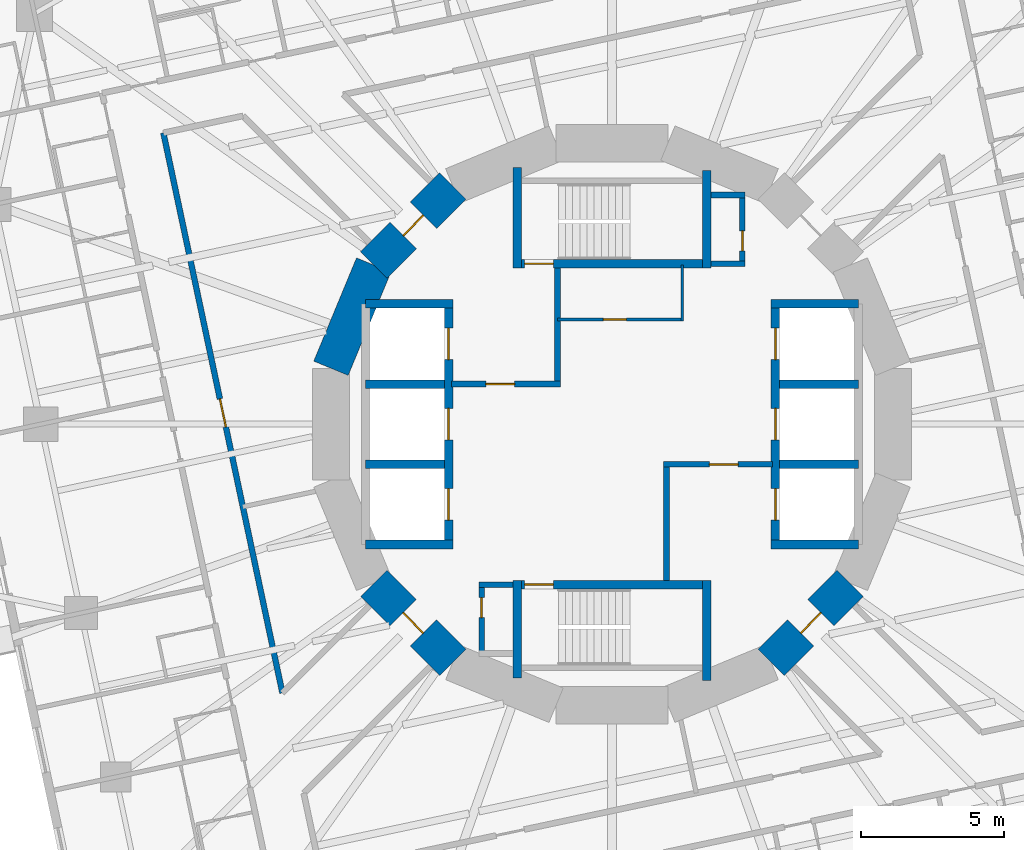
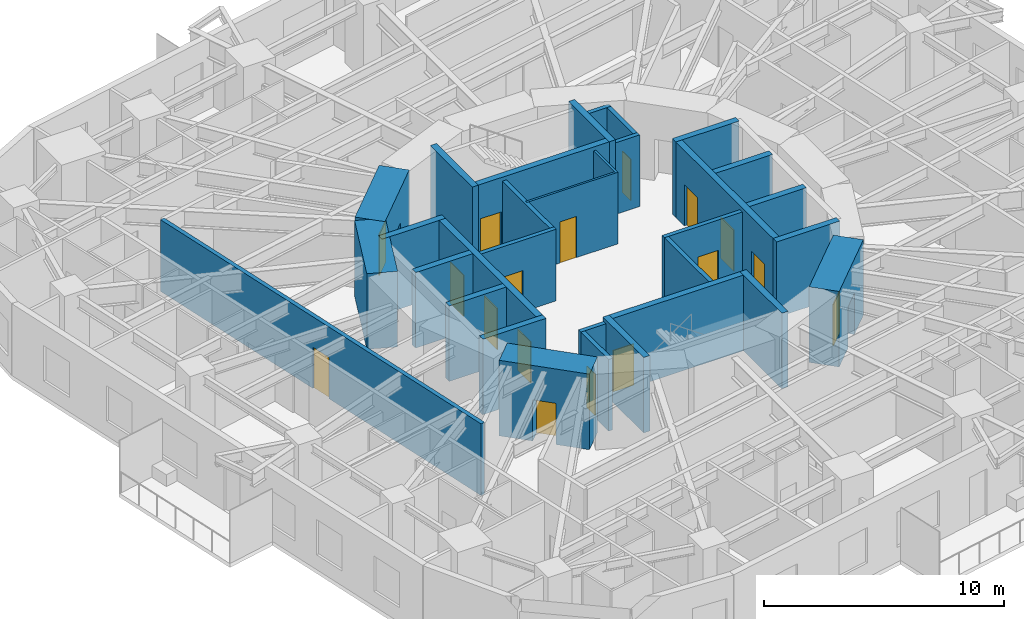
# One storey, part 7 of 14: 32 walls, 17 doors, 17 openings.
"""IFC4 building model written with IfcOpenShell, lengths in metres."""

from ifc_helpers import new_model, si_unit, direction, frame, frame_2d, origin, place, context, subcontext, project, spatial, rectangle, extrude, material, layer, layer_set, type_object, element, fill, save


model = new_model("IFC4")

# Units and contexts
model_context = context("Model", 3, precision=1e-05, world=origin(), true_north=direction((0.0, 1.0)))
body_context = subcontext(model_context, "Body", "Model", "MODEL_VIEW")
ifc_project = project(units=[si_unit("LENGTHUNIT", "METRE"), si_unit("AREAUNIT", "SQUARE_METRE"), si_unit("VOLUMEUNIT", "CUBIC_METRE"), si_unit("PLANEANGLEUNIT", "RADIAN"), si_unit("MASSUNIT", "GRAM", prefix="KILO")], contexts=[model_context])

# Site, building, storey
site_placement = place(None, origin())
site = spatial("IfcSite", under=ifc_project, at=site_placement, CompositionType="ELEMENT")
building_placement = place(site_placement, origin())
building = spatial("IfcBuilding", under=site, at=building_placement, Name="Nakasero Lantern House", CompositionType="ELEMENT")
storey_placement = place(building_placement, frame((0.0, 0.0, 116.550048828125)))
storey = spatial("IfcBuildingStorey", under=building, at=storey_placement, Name="L28", CompositionType="ELEMENT", Elevation=116.550048828125)

# Wall, openings, doors
ifc_material_1 = material(Name="Concrete C50/60", Category="concrete")
ifc_layer_1 = layer(ifc_material_1, 0.300048828125)
ifc_layer_set_1 = layer_set([ifc_layer_1], Name="Core inner wall 300")
wall_type_1 = type_object("IfcWallType", Name="Core inner wall 300", PredefinedType="SHEAR", material=ifc_layer_set_1)
wall_1_placement = place(storey_placement, frame((-5.699951171875, -4.199951171875, 0.0), z_axis=(0.0, 0.0, 1.0), x_axis=(0.0, 1.0, 0.0)))
wall_1 = element("IfcWall", 1, at=wall_1_placement, inside=storey, type_object=wall_type_1, Name="Core inner wall L28 LW", PredefinedType="SHEAR", context=body_context, shape_type="SweptSolid", body=[
    extrude(rectangle(XDim=8.39990234375, YDim=0.300048828125, at=frame_2d((4.199951171875, 0.0))), origin(), (0.0, 0.0, 1.0), 3.849853515625),
])
opening_1_placement = place(wall_1_placement, frame((0.85009765625, 0.0, 0.0)))
opening_1 = element("IfcOpeningElement", 2, at=opening_1_placement, cuts=wall_1, Name="Opening LD", PredefinedType="OPENING", context=body_context, shape_type="SweptSolid", body=[
    extrude(rectangle(XDim=1.10009765625, YDim=2.10009765625, at=frame_2d((0.550048828125, 1.050048828125))), frame((0.0, 0.169921875, 0.0), z_axis=(0.0, -1.0, 0.0), x_axis=(1.0, 0.0, 0.0)), (0.0, 0.0, 1.0), 0.340087890625),
])
opening_2_placement = place(wall_1_placement, frame((3.64990234375, 0.0, 0.0)))
opening_2 = element("IfcOpeningElement", 3, at=opening_2_placement, cuts=wall_1, Name="Opening LD", PredefinedType="OPENING", context=body_context, shape_type="SweptSolid", body=[
    extrude(rectangle(XDim=1.10009765625, YDim=2.10009765625, at=frame_2d((0.550048828125, 1.050048828125))), frame((0.0, 0.169921875, 0.0), z_axis=(0.0, -1.0, 0.0), x_axis=(1.0, 0.0, 0.0)), (0.0, 0.0, 1.0), 0.340087890625),
])
opening_3_placement = place(wall_1_placement, frame((6.449951171875, 0.0, 0.0)))
opening_3 = element("IfcOpeningElement", 4, at=opening_3_placement, cuts=wall_1, Name="Opening LD", PredefinedType="OPENING", context=body_context, shape_type="SweptSolid", body=[
    extrude(rectangle(XDim=1.10009765625, YDim=2.10009765625, at=frame_2d((0.550048828125, 1.050048828125))), frame((0.0, 0.169921875, 0.0), z_axis=(0.0, -1.0, 0.0), x_axis=(1.0, 0.0, 0.0)), (0.0, 0.0, 1.0), 0.340087890625),
])
ifc_material_2 = material(Name="Steel S355", Category="steel")
door_type_1 = type_object("IfcDoorType", Name="Lift landing door E120 1100", OperationType="SLIDING_TO_LEFT", PredefinedType="DOOR", material=ifc_material_2)
door_1_placement = place(opening_1_placement, origin())
door_1 = element("IfcDoor", 5, at=door_1_placement, inside=storey, type_object=door_type_1, Name="Lift landing door LW1", OperationType="SLIDING_TO_LEFT", OverallHeight=2.10009765625, OverallWidth=1.10009765625, PredefinedType="DOOR", context=body_context, shape_type="SweptSolid", body=[
    extrude(rectangle(XDim=1.10009765625, YDim=2.10009765625, at=frame_2d((0.550048828125, 1.050048828125))), frame((0.0, 0.02490234375, 0.0), z_axis=(0.0, -1.0, 0.0), x_axis=(1.0, 0.0, 0.0)), (0.0, 0.0, 1.0), 0.050048828125),
])
fill(opening_1, door_1)
door_2_placement = place(opening_2_placement, origin())
door_2 = element("IfcDoor", 6, at=door_2_placement, inside=storey, type_object=door_type_1, Name="Lift landing door LW2", OperationType="SLIDING_TO_LEFT", OverallHeight=2.10009765625, OverallWidth=1.10009765625, PredefinedType="DOOR", context=body_context, shape_type="SweptSolid", body=[
    extrude(rectangle(XDim=1.10009765625, YDim=2.10009765625, at=frame_2d((0.550048828125, 1.050048828125))), frame((0.0, 0.02490234375, 0.0), z_axis=(0.0, -1.0, 0.0), x_axis=(1.0, 0.0, 0.0)), (0.0, 0.0, 1.0), 0.050048828125),
])
fill(opening_2, door_2)
door_3_placement = place(opening_3_placement, origin())
door_3 = element("IfcDoor", 7, at=door_3_placement, inside=storey, type_object=door_type_1, Name="Lift landing door LW3", OperationType="SLIDING_TO_LEFT", OverallHeight=2.10009765625, OverallWidth=1.10009765625, PredefinedType="DOOR", context=body_context, shape_type="SweptSolid", body=[
    extrude(rectangle(XDim=1.10009765625, YDim=2.10009765625, at=frame_2d((0.550048828125, 1.050048828125))), frame((0.0, 0.02490234375, 0.0), z_axis=(0.0, -1.0, 0.0), x_axis=(1.0, 0.0, 0.0)), (0.0, 0.0, 1.0), 0.050048828125),
])
fill(opening_3, door_3)

wall_2_placement = place(storey_placement, frame((5.699951171875, -4.199951171875, 0.0), z_axis=(0.0, 0.0, 1.0), x_axis=(0.0, 1.0, 0.0)))
wall_2 = element("IfcWall", 8, at=wall_2_placement, inside=storey, type_object=wall_type_1, Name="Core inner wall L28 LE", PredefinedType="SHEAR", context=body_context, shape_type="SweptSolid", body=[
    extrude(rectangle(XDim=8.39990234375, YDim=0.300048828125, at=frame_2d((4.199951171875, 0.0))), origin(), (0.0, 0.0, 1.0), 3.849853515625),
])
opening_4_placement = place(wall_2_placement, frame((0.85009765625, 0.0, 0.0)))
opening_4 = element("IfcOpeningElement", 9, at=opening_4_placement, cuts=wall_2, Name="Opening LD", PredefinedType="OPENING", context=body_context, shape_type="SweptSolid", body=[
    extrude(rectangle(XDim=1.10009765625, YDim=2.10009765625, at=frame_2d((0.550048828125, 1.050048828125))), frame((0.0, 0.169921875, 0.0), z_axis=(0.0, -1.0, 0.0), x_axis=(1.0, 0.0, 0.0)), (0.0, 0.0, 1.0), 0.340087890625),
])
opening_5_placement = place(wall_2_placement, frame((3.64990234375, 0.0, 0.0)))
opening_5 = element("IfcOpeningElement", 10, at=opening_5_placement, cuts=wall_2, Name="Opening LD", PredefinedType="OPENING", context=body_context, shape_type="SweptSolid", body=[
    extrude(rectangle(XDim=1.10009765625, YDim=2.10009765625, at=frame_2d((0.550048828125, 1.050048828125))), frame((0.0, 0.169921875, 0.0), z_axis=(0.0, -1.0, 0.0), x_axis=(1.0, 0.0, 0.0)), (0.0, 0.0, 1.0), 0.340087890625),
])
opening_6_placement = place(wall_2_placement, frame((6.449951171875, 0.0, 0.0)))
opening_6 = element("IfcOpeningElement", 11, at=opening_6_placement, cuts=wall_2, Name="Opening LD", PredefinedType="OPENING", context=body_context, shape_type="SweptSolid", body=[
    extrude(rectangle(XDim=1.10009765625, YDim=2.10009765625, at=frame_2d((0.550048828125, 1.050048828125))), frame((0.0, 0.169921875, 0.0), z_axis=(0.0, -1.0, 0.0), x_axis=(1.0, 0.0, 0.0)), (0.0, 0.0, 1.0), 0.340087890625),
])
door_4_placement = place(opening_4_placement, origin())
door_4 = element("IfcDoor", 12, at=door_4_placement, inside=storey, type_object=door_type_1, Name="Lift landing door LE1", OperationType="SLIDING_TO_LEFT", OverallHeight=2.10009765625, OverallWidth=1.10009765625, PredefinedType="DOOR", context=body_context, shape_type="SweptSolid", body=[
    extrude(rectangle(XDim=1.10009765625, YDim=2.10009765625, at=frame_2d((0.550048828125, 1.050048828125))), frame((0.0, 0.02490234375, 0.0), z_axis=(0.0, -1.0, 0.0), x_axis=(1.0, 0.0, 0.0)), (0.0, 0.0, 1.0), 0.050048828125),
])
fill(opening_4, door_4)
door_5_placement = place(opening_5_placement, origin())
door_5 = element("IfcDoor", 13, at=door_5_placement, inside=storey, type_object=door_type_1, Name="Lift landing door LE2", OperationType="SLIDING_TO_LEFT", OverallHeight=2.10009765625, OverallWidth=1.10009765625, PredefinedType="DOOR", context=body_context, shape_type="SweptSolid", body=[
    extrude(rectangle(XDim=1.10009765625, YDim=2.10009765625, at=frame_2d((0.550048828125, 1.050048828125))), frame((0.0, 0.02490234375, 0.0), z_axis=(0.0, -1.0, 0.0), x_axis=(1.0, 0.0, 0.0)), (0.0, 0.0, 1.0), 0.050048828125),
])
fill(opening_5, door_5)
door_6_placement = place(opening_6_placement, origin())
door_6 = element("IfcDoor", 14, at=door_6_placement, inside=storey, type_object=door_type_1, Name="Lift landing door LE3", OperationType="SLIDING_TO_LEFT", OverallHeight=2.10009765625, OverallWidth=1.10009765625, PredefinedType="DOOR", context=body_context, shape_type="SweptSolid", body=[
    extrude(rectangle(XDim=1.10009765625, YDim=2.10009765625, at=frame_2d((0.550048828125, 1.050048828125))), frame((0.0, 0.02490234375, 0.0), z_axis=(0.0, -1.0, 0.0), x_axis=(1.0, 0.0, 0.0)), (0.0, 0.0, 1.0), 0.050048828125),
])
fill(opening_6, door_6)

# Walls
for number, where, z_axis, x_axis, name in (
    (15, (-8.60009765625, 4.199951171875, 0.0), (0.0, 0.0, 1.0), (1.0, 0.0, 0.0), "Core inner wall L28 LWN"),
    (16, (-8.60009765625, -4.199951171875, 0.0), (0.0, 0.0, 1.0), (1.0, 0.0, 0.0), "Core inner wall L28 LWS"),
    (17, (5.550048828125, 4.199951171875, 0.0), (0.0, 0.0, 1.0), (1.0, 0.0, 0.0), "Core inner wall L28 LEN"),
    (18, (5.550048828125, -4.199951171875, 0.0), (0.0, 0.0, 1.0), (1.0, 0.0, 0.0), "Core inner wall L28 LES"),
):
    element("IfcWall", number, at=place(storey_placement, frame(where, z_axis=z_axis, x_axis=x_axis)), inside=storey, type_object=wall_type_1, Name=name, PredefinedType="SHEAR", context=body_context, shape_type="SweptSolid", body=[
        extrude(rectangle(XDim=3.050048828125, YDim=0.300048828125, at=frame_2d((1.52490234375, 0.0))), origin(), (0.0, 0.0, 1.0), 3.849853515625),
    ])
for number, where, z_axis, x_axis, name in (
    (19, (-8.60009765625, -1.39990234375, 0.0), (0.0, 0.0, 1.0), (1.0, 0.0, 0.0), "Core inner wall L28 LW1"),
    (20, (-8.60009765625, 1.39990234375, 0.0), (0.0, 0.0, 1.0), (1.0, 0.0, 0.0), "Core inner wall L28 LW2"),
    (21, (5.85009765625, -1.39990234375, 0.0), (0.0, 0.0, 1.0), (1.0, 0.0, 0.0), "Core inner wall L28 LE1"),
    (22, (5.85009765625, 1.39990234375, 0.0), (0.0, 0.0, 1.0), (1.0, 0.0, 0.0), "Core inner wall L28 LE2"),
):
    element("IfcWall", number, at=place(storey_placement, frame(where, z_axis=z_axis, x_axis=x_axis)), inside=storey, type_object=wall_type_1, Name=name, PredefinedType="SHEAR", context=body_context, shape_type="SweptSolid", body=[
        extrude(rectangle(XDim=2.75, YDim=0.300048828125, at=frame_2d((1.375, 0.0))), origin(), (0.0, 0.0, 1.0), 3.849853515625),
    ])

# Wall, opening, door
wall_3_placement = place(storey_placement, frame((-3.449951171875, 5.60009765625, 0.0), z_axis=(0.0, 0.0, 1.0), x_axis=(1.0, 0.0, 0.0)))
wall_3 = element("IfcWall", 23, at=wall_3_placement, inside=storey, type_object=wall_type_1, Name="Core inner wall L28 SN", PredefinedType="SHEAR", context=body_context, shape_type="SweptSolid", body=[
    extrude(rectangle(XDim=6.89990234375, YDim=0.300048828125, at=frame_2d((3.449951171875, 0.0))), origin(), (0.0, 0.0, 1.0), 3.849853515625),
])
opening_7_placement = place(wall_3_placement, frame((0.39990234375, 0.0, 0.0)))
opening_7 = element("IfcOpeningElement", 24, at=opening_7_placement, cuts=wall_3, Name="Opening D05", PredefinedType="OPENING", context=body_context, shape_type="SweptSolid", body=[
    extrude(rectangle(XDim=1.0, YDim=2.10009765625, at=frame_2d((0.5, 1.050048828125))), frame((0.0, 0.169921875, 0.0), z_axis=(0.0, -1.0, 0.0), x_axis=(1.0, 0.0, 0.0)), (0.0, 0.0, 1.0), 0.340087890625),
])
ifc_material_3 = material(Name="Timber C24", Category="wood")
door_type_2 = type_object("IfcDoorType", Name="Core door FD60S 1000", OperationType="SINGLE_SWING_LEFT", PredefinedType="DOOR", material=ifc_material_3)
door_7_placement = place(opening_7_placement, origin())
door_7 = element("IfcDoor", 25, at=door_7_placement, inside=storey, type_object=door_type_2, Name="Door L28 D-ST1", OperationType="SINGLE_SWING_LEFT", OverallHeight=2.10009765625, OverallWidth=1.0, PredefinedType="DOOR", context=body_context, shape_type="SweptSolid", body=[
    extrude(rectangle(XDim=1.0, YDim=2.10009765625, at=frame_2d((0.5, 1.050048828125))), frame((0.0, 0.02490234375, 0.0), z_axis=(0.0, -1.0, 0.0), x_axis=(1.0, 0.0, 0.0)), (0.0, 0.0, 1.0), 0.050048828125),
])
fill(opening_7, door_7)

# Walls
wall_4_placement = place(storey_placement, frame((-3.300048828125, 5.449951171875, 0.0), z_axis=(0.0, 0.0, 1.0), x_axis=(0.0, 1.0, 0.0)))
element("IfcWall", 26, at=wall_4_placement, inside=storey, type_object=wall_type_1, Name="Core inner wall L28 SNW", PredefinedType="SHEAR", context=body_context, shape_type="SweptSolid", body=[
    extrude(rectangle(XDim=3.5, YDim=0.300048828125, at=frame_2d((1.75, 0.0))), origin(), (0.0, 0.0, 1.0), 3.849853515625),
])
wall_5_placement = place(storey_placement, frame((3.300048828125, 5.449951171875, 0.0), z_axis=(0.0, 0.0, 1.0), x_axis=(0.0, 1.0, 0.0)))
element("IfcWall", 27, at=wall_5_placement, inside=storey, type_object=wall_type_1, Name="Core inner wall L28 SNE", PredefinedType="SHEAR", context=body_context, shape_type="SweptSolid", body=[
    extrude(rectangle(XDim=3.400146484375, YDim=0.300048828125, at=frame_2d((1.7001953125, 0.0))), origin(), (0.0, 0.0, 1.0), 3.849853515625),
])

# Wall, opening, door
wall_6_placement = place(storey_placement, frame((-3.449951171875, -5.60009765625, 0.0), z_axis=(0.0, 0.0, 1.0), x_axis=(1.0, 0.0, 0.0)))
wall_6 = element("IfcWall", 28, at=wall_6_placement, inside=storey, type_object=wall_type_1, Name="Core inner wall L28 SS", PredefinedType="SHEAR", context=body_context, shape_type="SweptSolid", body=[
    extrude(rectangle(XDim=6.89990234375, YDim=0.300048828125, at=frame_2d((3.449951171875, 0.0))), origin(), (0.0, 0.0, 1.0), 3.849853515625),
])
opening_8_placement = place(wall_6_placement, frame((0.39990234375, 0.0, 0.0)))
opening_8 = element("IfcOpeningElement", 29, at=opening_8_placement, cuts=wall_6, Name="Opening D05", PredefinedType="OPENING", context=body_context, shape_type="SweptSolid", body=[
    extrude(rectangle(XDim=1.0, YDim=2.10009765625, at=frame_2d((0.5, 1.050048828125))), frame((0.0, 0.169921875, 0.0), z_axis=(0.0, -1.0, 0.0), x_axis=(1.0, 0.0, 0.0)), (0.0, 0.0, 1.0), 0.340087890625),
])
door_8_placement = place(opening_8_placement, origin())
door_8 = element("IfcDoor", 30, at=door_8_placement, inside=storey, type_object=door_type_2, Name="Door L28 D-ST2", OperationType="SINGLE_SWING_LEFT", OverallHeight=2.10009765625, OverallWidth=1.0, PredefinedType="DOOR", context=body_context, shape_type="SweptSolid", body=[
    extrude(rectangle(XDim=1.0, YDim=2.10009765625, at=frame_2d((0.5, 1.050048828125))), frame((0.0, 0.02490234375, 0.0), z_axis=(0.0, -1.0, 0.0), x_axis=(1.0, 0.0, 0.0)), (0.0, 0.0, 1.0), 0.050048828125),
])
fill(opening_8, door_8)

# Walls
wall_7_placement = place(storey_placement, frame((-3.300048828125, -5.449951171875, 0.0), z_axis=(0.0, 0.0, 1.0), x_axis=(0.0, -1.0, 0.0)))
element("IfcWall", 31, at=wall_7_placement, inside=storey, type_object=wall_type_1, Name="Core inner wall L28 SSW", PredefinedType="SHEAR", context=body_context, shape_type="SweptSolid", body=[
    extrude(rectangle(XDim=3.400146484375, YDim=0.300048828125, at=frame_2d((1.7001953125, 0.0))), origin(), (0.0, 0.0, 1.0), 3.849853515625),
])
wall_8_placement = place(storey_placement, frame((3.300048828125, -5.449951171875, 0.0), z_axis=(0.0, 0.0, 1.0), x_axis=(0.0, -1.0, 0.0)))
element("IfcWall", 32, at=wall_8_placement, inside=storey, type_object=wall_type_1, Name="Core inner wall L28 SSE", PredefinedType="SHEAR", context=body_context, shape_type="SweptSolid", body=[
    extrude(rectangle(XDim=3.5, YDim=0.300048828125, at=frame_2d((1.75, 0.0))), origin(), (0.0, 0.0, 1.0), 3.849853515625),
])

# Wall, opening, door
ifc_material_4 = material(Name="Blockwork", Category="masonry")
ifc_layer_2 = layer(ifc_material_4, 0.10009765625)
ifc_layer_set_2 = layer_set([ifc_layer_2], Name="Core room wall 100")
wall_type_2 = type_object("IfcWallType", Name="Core room wall 100", PredefinedType="PARTITIONING", material=ifc_layer_set_2)
wall_9_placement = place(storey_placement, frame((-1.89990234375, 3.64990234375, 0.0), z_axis=(0.0, 0.0, 1.0), x_axis=(1.0, 0.0, 0.0)))
wall_9 = element("IfcWall", 33, at=wall_9_placement, inside=storey, type_object=wall_type_2, Name="Core room wall L28 CR-NES", PredefinedType="PARTITIONING", context=body_context, shape_type="SweptSolid", body=[
    extrude(rectangle(XDim=4.39990234375, YDim=0.10009765625, at=frame_2d((2.199951171875, 0.0))), origin(), (0.0, 0.0, 1.0), 3.64990234375),
])
opening_9_placement = place(wall_9_placement, frame((1.60009765625, 0.0, 0.0)))
opening_9 = element("IfcOpeningElement", 34, at=opening_9_placement, cuts=wall_9, Name="Opening D15", PredefinedType="OPENING", context=body_context, shape_type="SweptSolid", body=[
    extrude(rectangle(XDim=0.800048828125, YDim=2.10009765625, at=frame_2d((0.39990234375, 1.050048828125))), frame((0.0, 0.070068359375, 0.0), z_axis=(0.0, -1.0, 0.0), x_axis=(1.0, 0.0, 0.0)), (0.0, 0.0, 1.0), 0.14013671875),
])
ifc_material_5 = material(Name="Timber C24", Category="wood")
door_type_3 = type_object("IfcDoorType", Name="Cleaner's store door FD30S 800", OperationType="SINGLE_SWING_LEFT", PredefinedType="DOOR", material=ifc_material_5)
door_9_placement = place(opening_9_placement, origin())
door_9 = element("IfcDoor", 35, at=door_9_placement, inside=storey, type_object=door_type_3, Name="Door L28 D-CR-NE", OperationType="SINGLE_SWING_LEFT", OverallHeight=2.10009765625, OverallWidth=0.800048828125, PredefinedType="DOOR", context=body_context, shape_type="SweptSolid", body=[
    extrude(rectangle(XDim=0.800048828125, YDim=2.10009765625, at=frame_2d((0.39990234375, 1.050048828125))), frame((0.0, 0.02490234375, 0.0), z_axis=(0.0, -1.0, 0.0), x_axis=(1.0, 0.0, 0.0)), (0.0, 0.0, 1.0), 0.050048828125),
])
fill(opening_9, door_9)

# Wall
wall_10_placement = place(storey_placement, frame((2.449951171875, 3.60009765625, 0.0), z_axis=(0.0, 0.0, 1.0), x_axis=(0.0, 1.0, 0.0)))
element("IfcWall", 36, at=wall_10_placement, inside=storey, type_object=wall_type_2, Name="Core room wall L28 CR-NEE", PredefinedType="PARTITIONING", context=body_context, shape_type="SweptSolid", body=[
    extrude(rectangle(XDim=1.949951171875, YDim=0.10009765625, at=frame_2d((0.97509765625, 0.0))), origin(), (0.0, 0.0, 1.0), 3.64990234375),
])

# Wall, opening, door
ifc_material_6 = material(Name="Concrete C50/60", Category="concrete")
ifc_layer_3 = layer(ifc_material_6, 1.300048828125)
ifc_layer_set_3 = layer_set([ifc_layer_3], Name="Core wall 1300")
wall_type_3 = type_object("IfcWallType", Name="Core wall 1300", PredefinedType="SHEAR", material=ifc_layer_set_3)
wall_11_placement = place(storey_placement, frame((-5.5556640625, 8.314697265625, 0.0), z_axis=(0.0, 0.0, 1.0), x_axis=(-0.707106781187, -0.707106781187, 0.0)))
wall_11 = element("IfcWall", 37, at=wall_11_placement, inside=storey, type_object=wall_type_3, Name="Core wall L28 facet 6", PredefinedType="SHEAR", context=body_context, shape_type="SweptSolid", body=[
    extrude(rectangle(XDim=3.90185546875, YDim=1.300048828125, at=frame_2d((1.950927734375, 0.0))), origin(), (0.0, 0.0, 1.0), 3.849853515625),
])
opening_10_placement = place(wall_11_placement, frame((1.450927734375, 0.0, 0.0)))
opening_10 = element("IfcOpeningElement", 38, at=opening_10_placement, cuts=wall_11, Name="Opening D05", PredefinedType="OPENING", context=body_context, shape_type="SweptSolid", body=[
    extrude(rectangle(XDim=1.0, YDim=2.10009765625, at=frame_2d((0.5, 1.050048828125))), frame((0.0, 0.669921875, 0.0), z_axis=(0.0, -1.0, 0.0), x_axis=(1.0, 0.0, 0.0)), (0.0, 0.0, 1.0), 1.340087890625),
])
door_10_placement = place(opening_10_placement, origin())
door_10 = element("IfcDoor", 39, at=door_10_placement, inside=storey, type_object=door_type_2, Name="Door L28 D-CORE06", OperationType="SINGLE_SWING_LEFT", OverallHeight=2.10009765625, OverallWidth=1.0, PredefinedType="DOOR", context=body_context, shape_type="SweptSolid", body=[
    extrude(rectangle(XDim=1.0, YDim=2.10009765625, at=frame_2d((0.5, 1.050048828125))), frame((0.0, 0.02490234375, 0.0), z_axis=(0.0, -1.0, 0.0), x_axis=(1.0, 0.0, 0.0)), (0.0, 0.0, 1.0), 0.050048828125),
])
fill(opening_10, door_10)

# Wall
wall_12_placement = place(storey_placement, frame((-8.314697265625, 5.5556640625, 0.0), z_axis=(0.0, 0.0, 1.0), x_axis=(-0.382690736062, -0.923876507187, 0.0)))
element("IfcWall", 40, at=wall_12_placement, inside=storey, type_object=wall_type_3, Name="Core wall L28 facet 7", PredefinedType="SHEAR", context=body_context, shape_type="SweptSolid", body=[
    extrude(rectangle(XDim=3.90185546875, YDim=1.300048828125, at=frame_2d((1.950927734375, 0.0))), origin(), (0.0, 0.0, 1.0), 3.849853515625),
])

# Wall, opening, door
wall_13_placement = place(storey_placement, frame((-8.314697265625, -5.5556640625, 0.0), z_axis=(0.0, 0.0, 1.0), x_axis=(0.707106781187, -0.707106781187, 0.0)))
wall_13 = element("IfcWall", 41, at=wall_13_placement, inside=storey, type_object=wall_type_3, Name="Core wall L28 facet 10", PredefinedType="SHEAR", context=body_context, shape_type="SweptSolid", body=[
    extrude(rectangle(XDim=3.90185546875, YDim=1.300048828125, at=frame_2d((1.950927734375, 0.0))), origin(), (0.0, 0.0, 1.0), 3.849853515625),
])
opening_11_placement = place(wall_13_placement, frame((1.450927734375, 0.0, 0.0)))
opening_11 = element("IfcOpeningElement", 42, at=opening_11_placement, cuts=wall_13, Name="Opening D05", PredefinedType="OPENING", context=body_context, shape_type="SweptSolid", body=[
    extrude(rectangle(XDim=1.0, YDim=2.10009765625, at=frame_2d((0.5, 1.050048828125))), frame((0.0, 0.669921875, 0.0), z_axis=(0.0, -1.0, 0.0), x_axis=(1.0, 0.0, 0.0)), (0.0, 0.0, 1.0), 1.340087890625),
])
door_11_placement = place(opening_11_placement, origin())
door_11 = element("IfcDoor", 43, at=door_11_placement, inside=storey, type_object=door_type_2, Name="Door L28 D-CORE10", OperationType="SINGLE_SWING_LEFT", OverallHeight=2.10009765625, OverallWidth=1.0, PredefinedType="DOOR", context=body_context, shape_type="SweptSolid", body=[
    extrude(rectangle(XDim=1.0, YDim=2.10009765625, at=frame_2d((0.5, 1.050048828125))), frame((0.0, 0.02490234375, 0.0), z_axis=(0.0, -1.0, 0.0), x_axis=(1.0, 0.0, 0.0)), (0.0, 0.0, 1.0), 0.050048828125),
])
fill(opening_11, door_11)

wall_14_placement = place(storey_placement, frame((5.5556640625, -8.314697265625, 0.0), z_axis=(0.0, 0.0, 1.0), x_axis=(0.707106781187, 0.707106781187, 0.0)))
wall_14 = element("IfcWall", 44, at=wall_14_placement, inside=storey, type_object=wall_type_3, Name="Core wall L28 facet 14", PredefinedType="SHEAR", context=body_context, shape_type="SweptSolid", body=[
    extrude(rectangle(XDim=3.90185546875, YDim=1.300048828125, at=frame_2d((1.950927734375, 0.0))), origin(), (0.0, 0.0, 1.0), 3.849853515625),
])
opening_12_placement = place(wall_14_placement, frame((1.450927734375, 0.0, 0.0)))
opening_12 = element("IfcOpeningElement", 45, at=opening_12_placement, cuts=wall_14, Name="Opening D05", PredefinedType="OPENING", context=body_context, shape_type="SweptSolid", body=[
    extrude(rectangle(XDim=1.0, YDim=2.10009765625, at=frame_2d((0.5, 1.050048828125))), frame((0.0, 0.669921875, 0.0), z_axis=(0.0, -1.0, 0.0), x_axis=(1.0, 0.0, 0.0)), (0.0, 0.0, 1.0), 1.340087890625),
])
door_12_placement = place(opening_12_placement, origin())
door_12 = element("IfcDoor", 46, at=door_12_placement, inside=storey, type_object=door_type_2, Name="Door L28 D-CORE14", OperationType="SINGLE_SWING_LEFT", OverallHeight=2.10009765625, OverallWidth=1.0, PredefinedType="DOOR", context=body_context, shape_type="SweptSolid", body=[
    extrude(rectangle(XDim=1.0, YDim=2.10009765625, at=frame_2d((0.5, 1.050048828125))), frame((0.0, 0.02490234375, 0.0), z_axis=(0.0, -1.0, 0.0), x_axis=(1.0, 0.0, 0.0)), (0.0, 0.0, 1.0), 0.050048828125),
])
fill(opening_12, door_12)

ifc_material_7 = material(Name="Blockwork", Category="masonry")
ifc_layer_4 = layer(ifc_material_7, 0.199951171875)
ifc_layer_set_4 = layer_set([ifc_layer_4], Name="Corridor wall 200")
wall_type_4 = type_object("IfcWallType", Name="Corridor wall 200", PredefinedType="PARTITIONING", material=ifc_layer_set_4)
wall_15_placement = place(storey_placement, frame((-15.656005859375, 10.1669921875, 0.0), z_axis=(0.0, 0.0, 1.0), x_axis=(0.20791018816, -0.978147920132, 0.0)))
wall_15 = element("IfcWall", 47, at=wall_15_placement, inside=storey, type_object=wall_type_4, Name="Corridor wall L28 IW2-0", PredefinedType="PARTITIONING", context=body_context, shape_type="SweptSolid", body=[
    extrude(rectangle(XDim=19.983642578125, YDim=0.199951171875, at=frame_2d((9.99169921875, 0.0))), origin(), (0.0, 0.0, 1.0), 3.64990234375),
])
opening_13_placement = place(wall_15_placement, frame((9.49169921875, 0.0, 0.0)))
opening_13 = element("IfcOpeningElement", 48, at=opening_13_placement, cuts=wall_15, Name="Opening D07", PredefinedType="OPENING", context=body_context, shape_type="SweptSolid", body=[
    extrude(rectangle(XDim=1.0, YDim=2.10009765625, at=frame_2d((0.5, 1.050048828125))), frame((0.0, 0.119873046875, 0.0), z_axis=(0.0, -1.0, 0.0), x_axis=(1.0, 0.0, 0.0)), (0.0, 0.0, 1.0), 0.239990234375),
])
ifc_material_8 = material(Name="Timber C24", Category="wood")
door_type_4 = type_object("IfcDoorType", Name="Room door FD30S 1000", OperationType="SINGLE_SWING_LEFT", PredefinedType="DOOR", material=ifc_material_8)
door_13_placement = place(opening_13_placement, origin())
door_13 = element("IfcDoor", 49, at=door_13_placement, inside=storey, type_object=door_type_4, Name="Door L28 DI7", OperationType="SINGLE_SWING_LEFT", OverallHeight=2.10009765625, OverallWidth=1.0, PredefinedType="DOOR", context=body_context, shape_type="SweptSolid", body=[
    extrude(rectangle(XDim=1.0, YDim=2.10009765625, at=frame_2d((0.5, 1.050048828125))), frame((0.0, 0.02490234375, 0.0), z_axis=(0.0, -1.0, 0.0), x_axis=(1.0, 0.0, 0.0)), (0.0, 0.0, 1.0), 0.050048828125),
])
fill(opening_13, door_13)

ifc_material_9 = material(Name="Blockwork", Category="masonry")
ifc_layer_5 = layer(ifc_material_9, 0.199951171875)
ifc_layer_set_5 = layer_set([ifc_layer_5], Name="Fire lobby wall 200")
wall_type_5 = type_object("IfcWallType", Name="Fire lobby wall 200", PredefinedType="PARTITIONING", material=ifc_layer_set_5)
wall_16_placement = place(storey_placement, frame((-5.60009765625, 1.39990234375, 0.0), z_axis=(0.0, 0.0, 1.0), x_axis=(1.0, 0.0, 0.0)))
wall_16 = element("IfcWall", 50, at=wall_16_placement, inside=storey, type_object=wall_type_5, Name="Fire lobby wall L28 W-FL1S", PredefinedType="PARTITIONING", context=body_context, shape_type="SweptSolid", body=[
    extrude(rectangle(XDim=3.800048828125, YDim=0.199951171875, at=frame_2d((1.89990234375, 0.0))), origin(), (0.0, 0.0, 1.0), 3.64990234375),
])
opening_14_placement = place(wall_16_placement, frame((1.199951171875, 0.0, 0.0)))
opening_14 = element("IfcOpeningElement", 51, at=opening_14_placement, cuts=wall_16, Name="Opening D05", PredefinedType="OPENING", context=body_context, shape_type="SweptSolid", body=[
    extrude(rectangle(XDim=1.0, YDim=2.10009765625, at=frame_2d((0.5, 1.050048828125))), frame((0.0, 0.119873046875, 0.0), z_axis=(0.0, -1.0, 0.0), x_axis=(1.0, 0.0, 0.0)), (0.0, 0.0, 1.0), 0.239990234375),
])
door_14_placement = place(opening_14_placement, origin())
door_14 = element("IfcDoor", 52, at=door_14_placement, inside=storey, type_object=door_type_2, Name="Door L28 D-FL1", OperationType="SINGLE_SWING_LEFT", OverallHeight=2.10009765625, OverallWidth=1.0, PredefinedType="DOOR", context=body_context, shape_type="SweptSolid", body=[
    extrude(rectangle(XDim=1.0, YDim=2.10009765625, at=frame_2d((0.5, 1.050048828125))), frame((0.0, 0.02490234375, 0.0), z_axis=(0.0, -1.0, 0.0), x_axis=(1.0, 0.0, 0.0)), (0.0, 0.0, 1.0), 0.050048828125),
])
fill(opening_14, door_14)

# Wall
wall_17_placement = place(storey_placement, frame((-1.89990234375, 1.5, 0.0), z_axis=(0.0, 0.0, 1.0), x_axis=(0.0, 1.0, 0.0)))
element("IfcWall", 53, at=wall_17_placement, inside=storey, type_object=wall_type_5, Name="Fire lobby wall L28 W-FL1E", PredefinedType="PARTITIONING", context=body_context, shape_type="SweptSolid", body=[
    extrude(rectangle(XDim=3.949951171875, YDim=0.199951171875, at=frame_2d((1.97509765625, 0.0))), origin(), (0.0, 0.0, 1.0), 3.64990234375),
])

# Wall, opening, door
wall_18_placement = place(storey_placement, frame((5.60009765625, -1.39990234375, 0.0), z_axis=(0.0, 0.0, 1.0), x_axis=(-1.0, 0.0, 0.0)))
wall_18 = element("IfcWall", 54, at=wall_18_placement, inside=storey, type_object=wall_type_5, Name="Fire lobby wall L28 W-FL2N", PredefinedType="PARTITIONING", context=body_context, shape_type="SweptSolid", body=[
    extrude(rectangle(XDim=3.800048828125, YDim=0.199951171875, at=frame_2d((1.89990234375, 0.0))), origin(), (0.0, 0.0, 1.0), 3.64990234375),
])
opening_15_placement = place(wall_18_placement, frame((1.199951171875, 0.0, 0.0)))
opening_15 = element("IfcOpeningElement", 55, at=opening_15_placement, cuts=wall_18, Name="Opening D05", PredefinedType="OPENING", context=body_context, shape_type="SweptSolid", body=[
    extrude(rectangle(XDim=1.0, YDim=2.10009765625, at=frame_2d((0.5, 1.050048828125))), frame((0.0, 0.119873046875, 0.0), z_axis=(0.0, -1.0, 0.0), x_axis=(1.0, 0.0, 0.0)), (0.0, 0.0, 1.0), 0.239990234375),
])
door_15_placement = place(opening_15_placement, origin())
door_15 = element("IfcDoor", 56, at=door_15_placement, inside=storey, type_object=door_type_2, Name="Door L28 D-FL2", OperationType="SINGLE_SWING_LEFT", OverallHeight=2.10009765625, OverallWidth=1.0, PredefinedType="DOOR", context=body_context, shape_type="SweptSolid", body=[
    extrude(rectangle(XDim=1.0, YDim=2.10009765625, at=frame_2d((0.5, 1.050048828125))), frame((0.0, 0.02490234375, 0.0), z_axis=(0.0, -1.0, 0.0), x_axis=(1.0, 0.0, 0.0)), (0.0, 0.0, 1.0), 0.050048828125),
])
fill(opening_15, door_15)

# Wall
wall_19_placement = place(storey_placement, frame((1.89990234375, -1.5, 0.0), z_axis=(0.0, 0.0, 1.0), x_axis=(0.0, -1.0, 0.0)))
element("IfcWall", 57, at=wall_19_placement, inside=storey, type_object=wall_type_5, Name="Fire lobby wall L28 W-FL2W", PredefinedType="PARTITIONING", context=body_context, shape_type="SweptSolid", body=[
    extrude(rectangle(XDim=3.949951171875, YDim=0.199951171875, at=frame_2d((1.97509765625, 0.0))), origin(), (0.0, 0.0, 1.0), 3.64990234375),
])

# Wall, opening, door
wall_20_placement = place(storey_placement, frame((4.550048828125, 5.60009765625, 0.0), z_axis=(0.0, 0.0, 1.0), x_axis=(0.0, 1.0, 0.0)))
wall_20 = element("IfcWall", 58, at=wall_20_placement, inside=storey, type_object=wall_type_5, Name="Fire lobby wall L28 W-RS1E", PredefinedType="PARTITIONING", context=body_context, shape_type="SweptSolid", body=[
    extrude(rectangle(XDim=2.39990234375, YDim=0.199951171875, at=frame_2d((1.199951171875, 0.0))), origin(), (0.0, 0.0, 1.0), 3.64990234375),
])
opening_16_placement = place(wall_20_placement, frame((0.449951171875, 0.0, 0.0)))
opening_16 = element("IfcOpeningElement", 59, at=opening_16_placement, cuts=wall_20, Name="Opening D06", PredefinedType="OPENING", context=body_context, shape_type="SweptSolid", body=[
    extrude(rectangle(XDim=0.699951171875, YDim=2.10009765625, at=frame_2d((0.35009765625, 1.050048828125))), frame((0.0, 0.119873046875, 0.0), z_axis=(0.0, -1.0, 0.0), x_axis=(1.0, 0.0, 0.0)), (0.0, 0.0, 1.0), 0.239990234375),
])
ifc_material_10 = material(Name="Steel S355", Category="steel")
door_type_5 = type_object("IfcDoorType", Name="Riser door FD60 700", OperationType="SINGLE_SWING_LEFT", PredefinedType="DOOR", material=ifc_material_10)
door_16_placement = place(opening_16_placement, origin())
door_16 = element("IfcDoor", 60, at=door_16_placement, inside=storey, type_object=door_type_5, Name="Door L28 D-RS1", OperationType="SINGLE_SWING_LEFT", OverallHeight=2.10009765625, OverallWidth=0.699951171875, PredefinedType="DOOR", context=body_context, shape_type="SweptSolid", body=[
    extrude(rectangle(XDim=0.699951171875, YDim=2.10009765625, at=frame_2d((0.35009765625, 1.050048828125))), frame((0.0, 0.02490234375, 0.0), z_axis=(0.0, -1.0, 0.0), x_axis=(1.0, 0.0, 0.0)), (0.0, 0.0, 1.0), 0.050048828125),
])
fill(opening_16, door_16)

# Walls
for number, where, z_axis, x_axis, name in (
    (61, (3.449951171875, 8.0, 0.0), (0.0, 0.0, 1.0), (1.0, 0.0, 0.0), "Fire lobby wall L28 W-RS1N"),
    (62, (3.449951171875, 5.60009765625, 0.0), (0.0, 0.0, 1.0), (1.0, 0.0, 0.0), "Fire lobby wall L28 W-RS1S"),
):
    element("IfcWall", number, at=place(storey_placement, frame(where, z_axis=z_axis, x_axis=x_axis)), inside=storey, type_object=wall_type_5, Name=name, PredefinedType="PARTITIONING", context=body_context, shape_type="SweptSolid", body=[
        extrude(rectangle(XDim=1.199951171875, YDim=0.199951171875, at=frame_2d((0.60009765625, 0.0))), origin(), (0.0, 0.0, 1.0), 3.64990234375),
    ])

# Wall, opening, door
wall_21_placement = place(storey_placement, frame((-4.550048828125, -5.60009765625, 0.0), z_axis=(0.0, 0.0, 1.0), x_axis=(0.0, -1.0, 0.0)))
wall_21 = element("IfcWall", 63, at=wall_21_placement, inside=storey, type_object=wall_type_5, Name="Fire lobby wall L28 W-RS2W", PredefinedType="PARTITIONING", context=body_context, shape_type="SweptSolid", body=[
    extrude(rectangle(XDim=2.39990234375, YDim=0.199951171875, at=frame_2d((1.199951171875, 0.0))), origin(), (0.0, 0.0, 1.0), 3.64990234375),
])
opening_17_placement = place(wall_21_placement, frame((0.449951171875, 0.0, 0.0)))
opening_17 = element("IfcOpeningElement", 64, at=opening_17_placement, cuts=wall_21, Name="Opening D06", PredefinedType="OPENING", context=body_context, shape_type="SweptSolid", body=[
    extrude(rectangle(XDim=0.699951171875, YDim=2.10009765625, at=frame_2d((0.35009765625, 1.050048828125))), frame((0.0, 0.119873046875, 0.0), z_axis=(0.0, -1.0, 0.0), x_axis=(1.0, 0.0, 0.0)), (0.0, 0.0, 1.0), 0.239990234375),
])
door_17_placement = place(opening_17_placement, origin())
door_17 = element("IfcDoor", 65, at=door_17_placement, inside=storey, type_object=door_type_5, Name="Door L28 D-RS2", OperationType="SINGLE_SWING_LEFT", OverallHeight=2.10009765625, OverallWidth=0.699951171875, PredefinedType="DOOR", context=body_context, shape_type="SweptSolid", body=[
    extrude(rectangle(XDim=0.699951171875, YDim=2.10009765625, at=frame_2d((0.35009765625, 1.050048828125))), frame((0.0, 0.02490234375, 0.0), z_axis=(0.0, -1.0, 0.0), x_axis=(1.0, 0.0, 0.0)), (0.0, 0.0, 1.0), 0.050048828125),
])
fill(opening_17, door_17)

# Wall
wall_22_placement = place(storey_placement, frame((-3.449951171875, -5.60009765625, 0.0), z_axis=(0.0, 0.0, 1.0), x_axis=(-1.0, 0.0, 0.0)))
element("IfcWall", 66, at=wall_22_placement, inside=storey, type_object=wall_type_5, Name="Fire lobby wall L28 W-RS2N", PredefinedType="PARTITIONING", context=body_context, shape_type="SweptSolid", body=[
    extrude(rectangle(XDim=1.199951171875, YDim=0.199951171875, at=frame_2d((0.60009765625, 0.0))), origin(), (0.0, 0.0, 1.0), 3.64990234375),
])

save(model, "model.ifc")
